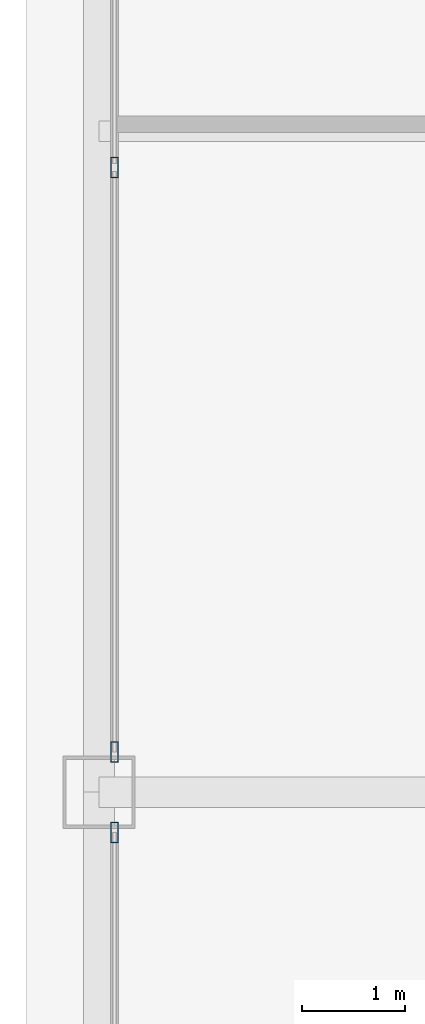
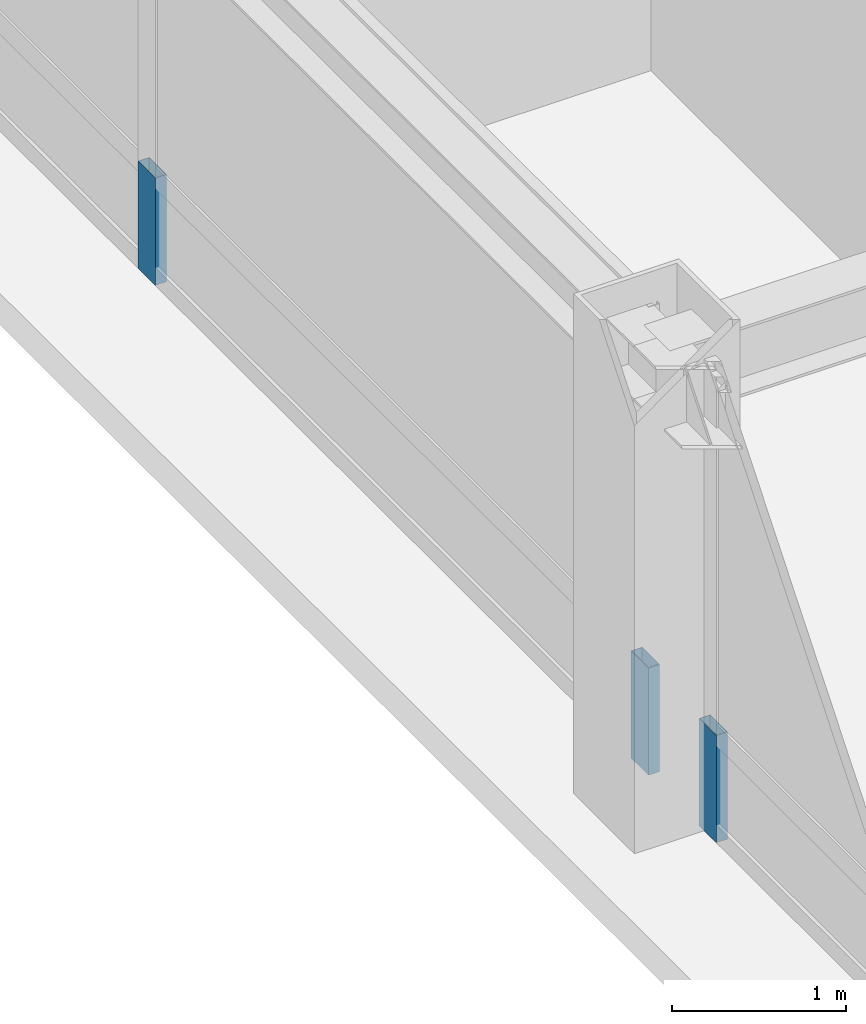
# One storey, part 23 of 35: 3 members, 2 elements without a shape of their own.
"""IFC4 building model written with IfcOpenShell, lengths in metres."""

from ifc_helpers import new_model, si_unit, direction, frame, origin, origin_2d, place, context, subcontext, project, spatial, hollow_rectangle, extrude, source, transform, mapped, material, layer, layer_set, material_profile, profile_set, type_object, element, aggregate, save


model = new_model("IFC4")

# Units and contexts
model_context = context("Model", 3, precision=1e-05, world=origin(), true_north=direction((0.0, 1.0)))
body_context = subcontext(model_context, "Body", "Model", "MODEL_VIEW")
ifc_project = project(units=[si_unit("LENGTHUNIT", "METRE"), si_unit("AREAUNIT", "SQUARE_METRE"), si_unit("VOLUMEUNIT", "CUBIC_METRE"), si_unit("PLANEANGLEUNIT", "RADIAN"), si_unit("MASSUNIT", "GRAM", prefix="KILO"), si_unit("THERMODYNAMICTEMPERATUREUNIT", "KELVIN"), si_unit("POWERUNIT", "WATT")], contexts=[model_context])

# Site, building, storey
site_placement = place(None, origin())
site = spatial("IfcSite", under=ifc_project, at=site_placement, CompositionType="ELEMENT")
building_placement = place(site_placement, origin())
building = spatial("IfcBuilding", under=site, at=building_placement, Name="Yuzanri Waterfront Tower", CompositionType="ELEMENT")
storey_placement = place(building_placement, frame((0.0, 0.0, 299.60009765625)))
storey = spatial("IfcBuildingStorey", under=building, at=storey_placement, Name="L80", CompositionType="ELEMENT", Elevation=299.60009765625)

# Curtain wall, member
ifc_material_1 = material(Name="Anodized Architectural Bronze", Category="metal")
ifc_layer = layer(ifc_material_1, 0.159912109375)
ifc_layer_set = layer_set([ifc_layer], Name="Anodized Architectural Bronze")
curtain_wall_type = type_object("IfcCurtainWallType", Name="Anodized Bronze High-Rise Penthouse High-Wind Unitized Curtain Wall 6900", PredefinedType="NOTDEFINED", material=ifc_layer_set)
curtain_wall_1_placement = place(storey_placement, origin())
curtain_wall_1 = element("IfcCurtainWall", 1, at=curtain_wall_1_placement, inside=storey, type_object=curtain_wall_type, Name="L80 Curtain Wall CW-L80-WL", PredefinedType="NOTDEFINED")
ifc_material_2 = material(Name="Anodized Architectural Bronze", Category="metal")
ifc_material_profile = material_profile(ifc_material_2, hollow_rectangle(XDim=0.074951171875, YDim=0.199951171875, WallThickness=0.00390625, at=origin_2d()), Name="CWM 75x200")
ifc_profile_set = profile_set([ifc_material_profile], Name="Anodized Architectural Bronze")
member_type = type_object("IfcMemberType", Name="Anodized Bronze Primary Curtain-Wall Mullion 75x200", PredefinedType="MULLION", material=ifc_profile_set)
shared_shape = source(origin(), body_context, "Body", "SweptSolid", [
    extrude(hollow_rectangle(XDim=0.074951171875, YDim=0.199951171875, WallThickness=0.00390625, at=origin_2d()), origin(), (0.0, 0.0, 1.0), 0.751953125),
])
member_1_placement = place(storey_placement, frame((18.050048828125, 25.409912109375, 0.0), z_axis=(0.0, 0.0, 1.0), x_axis=(1.0, 0.0, 0.0)))
member_1 = element("IfcMember", 2, at=member_1_placement, type_object=member_type, Name="CW-L80-WL Lower Mullion 02", PredefinedType="MULLION", context=body_context, shape_type="MappedRepresentation", body=[
    mapped(shared_shape, transform((0.0, 0.0, 0.0), scale=1.0)),
])
aggregate(curtain_wall_1, [member_1])

# Curtain wall, members
curtain_wall_2_placement = place(storey_placement, origin())
curtain_wall_2 = element("IfcCurtainWall", 3, at=curtain_wall_2_placement, inside=storey, type_object=curtain_wall_type, Name="L80 Curtain Wall CW-L80-WR", PredefinedType="NOTDEFINED")
member_2_placement = place(storey_placement, frame((18.050048828125, 26.18994140625, 0.0), z_axis=(0.0, 0.0, 1.0), x_axis=(1.0, 0.0, 0.0)))
member_2 = element("IfcMember", 4, at=member_2_placement, type_object=member_type, Name="CW-L80-WR Lower Mullion 00", PredefinedType="MULLION", context=body_context, shape_type="MappedRepresentation", body=[
    mapped(shared_shape, transform((0.0, 0.0, 0.0), scale=1.0)),
])
member_3_placement = place(storey_placement, frame((18.050048828125, 31.85009765625, 0.0), z_axis=(0.0, 0.0, 1.0), x_axis=(1.0, 0.0, 0.0)))
member_3 = element("IfcMember", 5, at=member_3_placement, type_object=member_type, Name="CW-L80-WR Lower Mullion 01", PredefinedType="MULLION", context=body_context, shape_type="MappedRepresentation", body=[
    mapped(shared_shape, transform((0.0, 0.0, 0.0), scale=1.0)),
])
aggregate(curtain_wall_2, [member_2, member_3])

save(model, "model.ifc")
